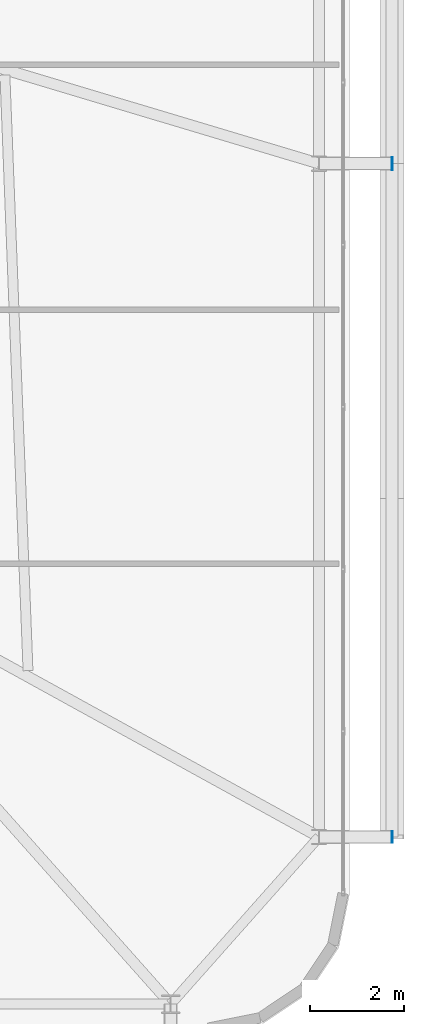
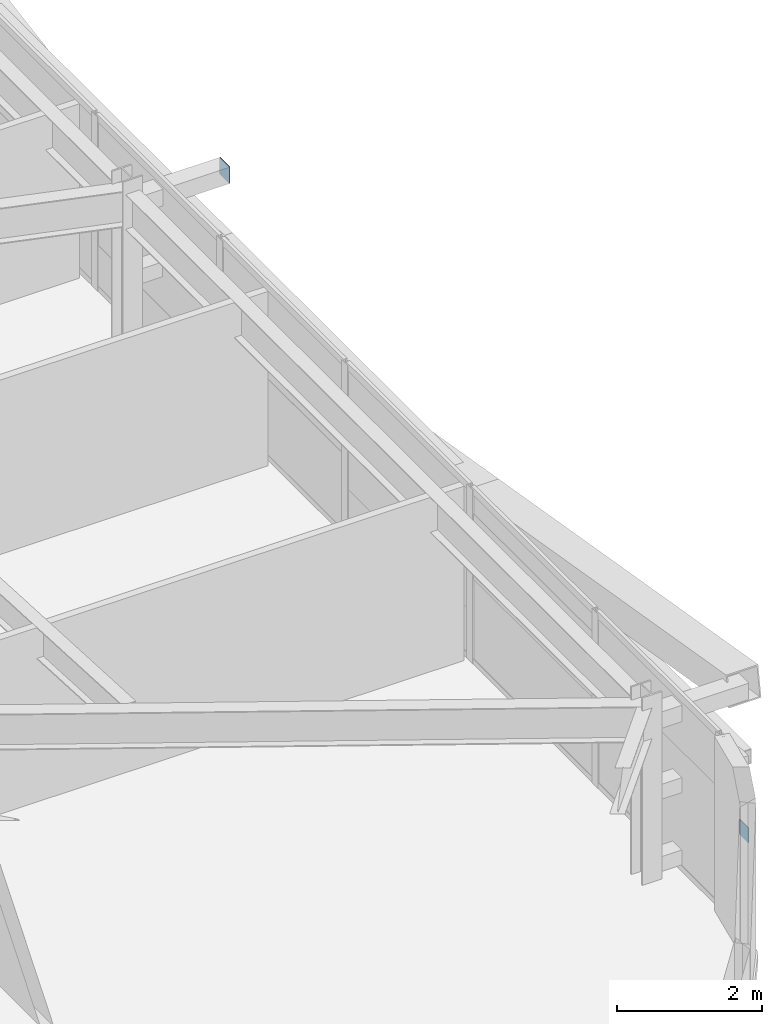
# One storey, part 48 of 58: 2 plates.
"""IFC4 building model written with IfcOpenShell, lengths in metres."""

from ifc_helpers import new_model, si_unit, direction, frame, origin, origin_2d, place, context, subcontext, project, spatial, rectangle, extrude, source, transform, mapped, material, layer, layer_set, type_object, element, save


model = new_model("IFC4")

# Units and contexts
model_context = context("Model", 3, precision=1e-05, world=origin(), true_north=direction((0.0, 1.0)))
body_context = subcontext(model_context, "Body", "Model", "MODEL_VIEW")
ifc_project = project(units=[si_unit("LENGTHUNIT", "METRE"), si_unit("AREAUNIT", "SQUARE_METRE"), si_unit("VOLUMEUNIT", "CUBIC_METRE"), si_unit("PLANEANGLEUNIT", "RADIAN"), si_unit("MASSUNIT", "GRAM", prefix="KILO")], contexts=[model_context])

# Site, building, storey
site_placement = place(None, origin())
site = spatial("IfcSite", under=ifc_project, at=site_placement, CompositionType="ELEMENT")
building_placement = place(site_placement, origin())
building = spatial("IfcBuilding", under=site, at=building_placement, Name="Taldren Reach Tower", CompositionType="ELEMENT")
storey_placement = place(building_placement, frame((0.0, 0.0, 51.449951171875)))
storey = spatial("IfcBuildingStorey", under=building, at=storey_placement, Name="L15", CompositionType="ELEMENT", Elevation=51.449951171875)

# Plates
ifc_material_1 = material(Name="Steel Gr 450 (C450L0)", Category="steel")
ifc_layer_1 = layer(ifc_material_1, 0.011962890625)
ifc_layer_set_1 = layer_set([ifc_layer_1], Name="Steel Gr 450 (C450L0)")
plate_type_1 = type_object("IfcPlateType", Name="PL-CAP-275", PredefinedType="SHEET", material=ifc_layer_set_1)
shared_shape_1 = source(origin(), body_context, "Body", "SweptSolid", [
    extrude(rectangle(XDim=0.011962890625, YDim=0.27490234375, at=origin_2d()), origin(), (0.0, 0.0, 1.0), 0.27490234375),
])
plate_1_placement = place(storey_placement, frame((65.906005859375, 20.0, 2.5126953125), z_axis=(0.0, 0.0, 1.0), x_axis=(1.0, 0.0, 0.0)))
element("IfcPlate", 1, at=plate_1_placement, inside=storey, type_object=plate_type_1, Name="Tie strut end cap plate B1-E2 L15", PredefinedType="SHEET", context=body_context, shape_type="MappedRepresentation", body=[
    mapped(shared_shape_1, transform((0.0, 0.0, 0.0), scale=1.0)),
])
ifc_material_2 = material(Name="Steel Gr 350 (C350L0)", Category="steel")
ifc_layer_2 = layer(ifc_material_2, 0.011962890625)
ifc_layer_set_2 = layer_set([ifc_layer_2], Name="Steel Gr 350 (C350L0)")
plate_type_2 = type_object("IfcPlateType", Name="PL-CAP-250", PredefinedType="SHEET", material=ifc_layer_set_2)
shared_shape_2 = source(origin(), body_context, "Body", "SweptSolid", [
    extrude(rectangle(XDim=0.011962890625, YDim=0.25, at=origin_2d()), origin(), (0.0, 0.0, 1.0), 0.25),
])
plate_2_placement = place(storey_placement, frame((65.906005859375, 5.699951171875, 0.094970703125), z_axis=(0.0, 0.0, 1.0), x_axis=(1.0, 0.0, 0.0)))
element("IfcPlate", 2, at=plate_2_placement, inside=storey, type_object=plate_type_2, Name="Tie strut end cap plate B1-E1 L15", PredefinedType="SHEET", context=body_context, shape_type="MappedRepresentation", body=[
    mapped(shared_shape_2, transform((0.0, 0.0, 0.0), scale=1.0)),
])

save(model, "model.ifc")
